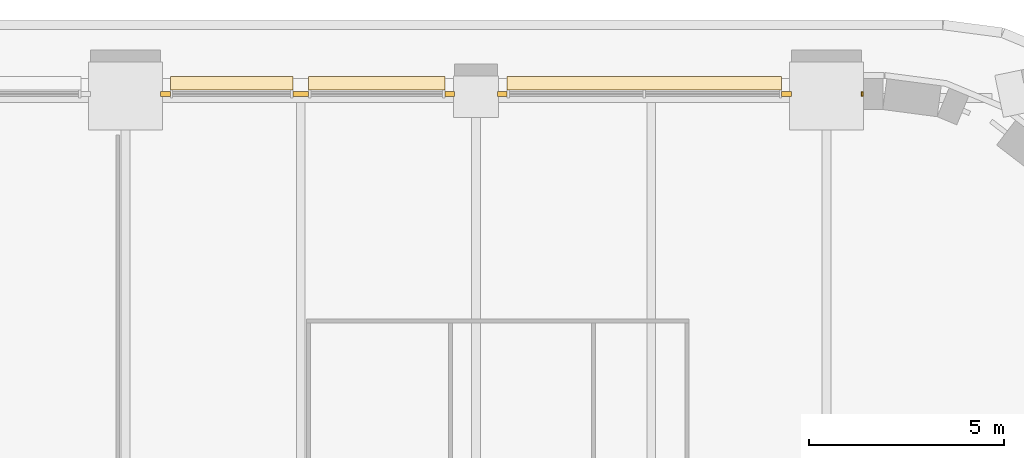
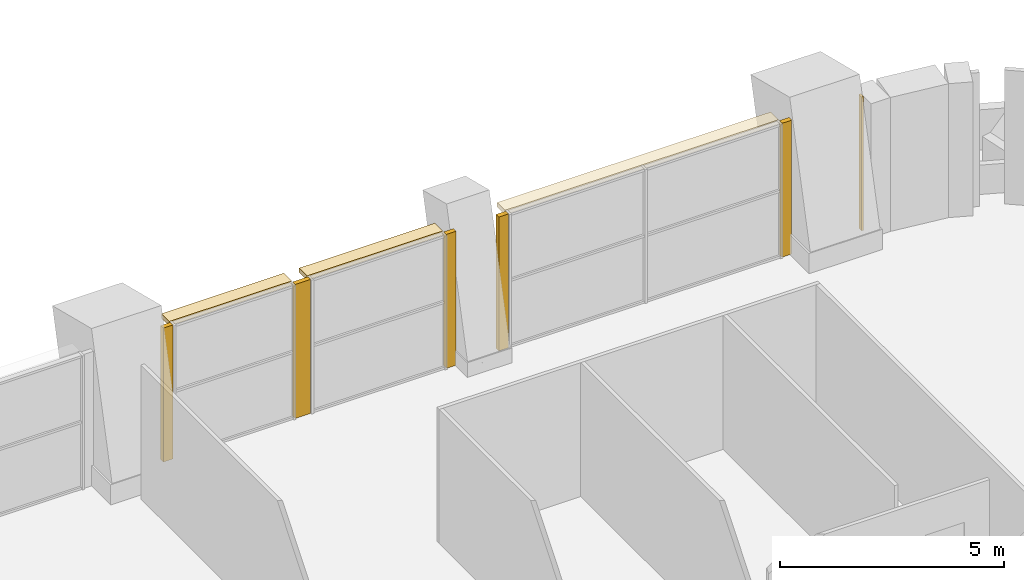
# One storey, part 24 of 26: 9 coverings.
"""IFC4 building model written with IfcOpenShell, lengths in metres."""

from ifc_helpers import new_model, si_unit, direction, frame, origin, origin_2d, place, context, subcontext, project, spatial, polyline, rectangle, outline, extrude, material, layer, layer_set, type_object, element, save


model = new_model("IFC4")

# Units and contexts
model_context = context("Model", 3, precision=1e-05, world=origin(), true_north=direction((0.0, 1.0)))
body_context = subcontext(model_context, "Body", "Model", "MODEL_VIEW")
ifc_project = project(units=[si_unit("LENGTHUNIT", "METRE"), si_unit("AREAUNIT", "SQUARE_METRE"), si_unit("VOLUMEUNIT", "CUBIC_METRE"), si_unit("PLANEANGLEUNIT", "RADIAN"), si_unit("MASSUNIT", "GRAM", prefix="KILO")], contexts=[model_context])

# Site, building, storey
site_placement = place(None, origin())
site = spatial("IfcSite", under=ifc_project, at=site_placement, CompositionType="ELEMENT")
building_placement = place(site_placement, origin())
building = spatial("IfcBuilding", under=site, at=building_placement, Name="Zellij Exchange Tower", CompositionType="ELEMENT")
storey_placement = place(building_placement, frame((0.0, 0.0, 100.5)))
storey = spatial("IfcBuildingStorey", under=building, at=storey_placement, Name="L21", CompositionType="ELEMENT", Elevation=100.5)

# Coverings
ifc_material_1 = material(Name="Limestone cladding", Category="masonry")
ifc_layer_1 = layer(ifc_material_1, 0.1201171875)
ifc_layer_set_1 = layer_set([ifc_layer_1], Name="Limestone cladding")
covering_type_1 = type_object("IfcCoveringType", Name="ENV-CV18 Glazing closer 120", PredefinedType="CLADDING", material=ifc_layer_set_1)
covering_1_placement = place(storey_placement, frame((13.5, 18.10009765625, 0.0), z_axis=(0.0, 0.0, 1.0), x_axis=(-1.0, 0.0, 0.0)))
element("IfcCovering", 1, at=covering_1_placement, inside=storey, type_object=covering_type_1, Name="Glazing closer", PredefinedType="CLADDING", context=body_context, shape_type="SweptSolid", body=[
    extrude(rectangle(XDim=0.39990234375, YDim=0.1201171875, at=origin_2d()), origin(), (0.0, 0.0, 1.0), 3.64990234375),
])
for number, where, z_axis, x_axis, name in (
    (2, (25.97509765625, 18.10009765625, 0.0), (0.0, 0.0, 1.0), (1.0, 0.0, 0.0), "Glazing closer"),
    (3, (18.675048828125, 18.10009765625, 0.0), (0.0, 0.0, 1.0), (-1.0, 0.0, 0.0), "Glazing closer"),
    (4, (17.324951171875, 18.10009765625, 0.0), (0.0, 0.0, 1.0), (1.0, 0.0, 0.0), "Glazing closer"),
    (5, (10.02490234375, 18.10009765625, 0.0), (0.0, 0.0, 1.0), (-1.0, 0.0, 0.0), "Glazing closer"),
):
    element("IfcCovering", number, at=place(storey_placement, frame(where, z_axis=z_axis, x_axis=x_axis)), inside=storey, type_object=covering_type_1, Name=name, PredefinedType="CLADDING", context=body_context, shape_type="SweptSolid", body=[
        extrude(rectangle(XDim=0.25, YDim=0.1201171875, at=origin_2d()), origin(), (0.0, 0.0, 1.0), 3.64990234375),
    ])
covering_2_placement = place(storey_placement, frame((27.925048828125, 18.10009765625, 0.0), z_axis=(0.0, 0.0, 1.0), x_axis=(-1.0, 0.0, 0.0)))
element("IfcCovering", 6, at=covering_2_placement, inside=storey, type_object=covering_type_1, Name="Glazing closer", PredefinedType="CLADDING", context=body_context, shape_type="SweptSolid", body=[
    extrude(rectangle(XDim=0.050048828125, YDim=0.1201171875, at=origin_2d()), origin(), (0.0, 0.0, 1.0), 3.64990234375),
])
ifc_material_2 = material(Name="Limestone sunshade", Category="masonry")
ifc_layer_2 = layer(ifc_material_2, 0.1201171875)
ifc_layer_set_2 = layer_set([ifc_layer_2], Name="Limestone sunshade")
covering_type_2 = type_object("IfcCoveringType", Name="ENV-SC2 Stone sunshade 120", PredefinedType="USERDEFINED", material=ifc_layer_set_2)
covering_3_placement = place(storey_placement, frame((0.0, 0.0, 3.530029296875)))
element("IfcCovering", 7, at=covering_3_placement, inside=storey, type_object=covering_type_2, Name="Stone sunshade", ObjectType="SUNSHADE", PredefinedType="USERDEFINED", context=body_context, shape_type="SweptSolid", body=[
    extrude(outline(polyline([(25.85009765625, 18.199951171875), (18.800048828125, 18.199951171875), (18.800048828125, 18.550048828125), (25.85009765625, 18.550048828125), (25.85009765625, 18.199951171875)])), origin(), (0.0, 0.0, 1.0), 0.119873046875),
])
covering_4_placement = place(storey_placement, frame((0.0, 0.0, 3.530029296875)))
element("IfcCovering", 8, at=covering_4_placement, inside=storey, type_object=covering_type_2, Name="Stone sunshade", ObjectType="SUNSHADE", PredefinedType="USERDEFINED", context=body_context, shape_type="SweptSolid", body=[
    extrude(outline(polyline([(17.199951171875, 18.199951171875), (13.699951171875, 18.199951171875), (13.699951171875, 18.550048828125), (17.199951171875, 18.550048828125), (17.199951171875, 18.199951171875)])), origin(), (0.0, 0.0, 1.0), 0.119873046875),
])
covering_5_placement = place(storey_placement, frame((0.0, 0.0, 3.530029296875)))
element("IfcCovering", 9, at=covering_5_placement, inside=storey, type_object=covering_type_2, Name="Stone sunshade", ObjectType="SUNSHADE", PredefinedType="USERDEFINED", context=body_context, shape_type="SweptSolid", body=[
    extrude(outline(polyline([(13.300048828125, 18.199951171875), (10.14990234375, 18.199951171875), (10.14990234375, 18.550048828125), (13.300048828125, 18.550048828125), (13.300048828125, 18.199951171875)])), origin(), (0.0, 0.0, 1.0), 0.119873046875),
])

save(model, "model.ifc")
